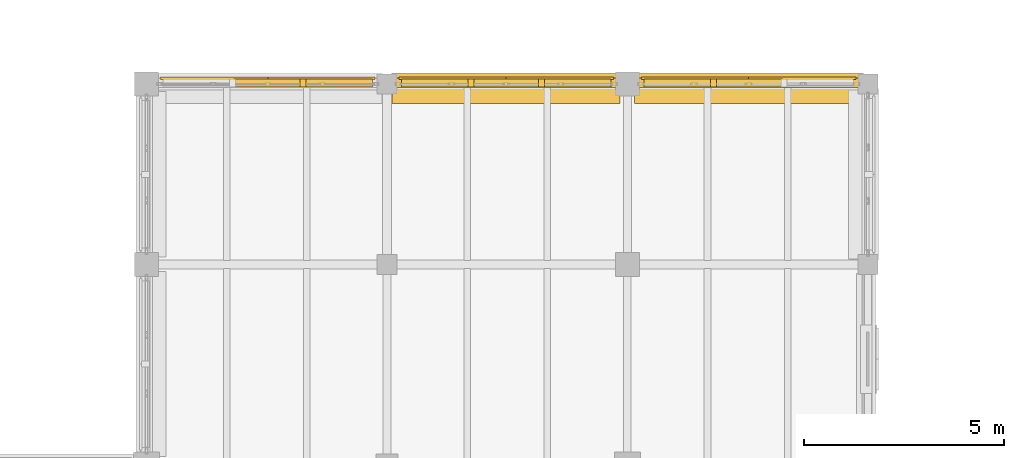
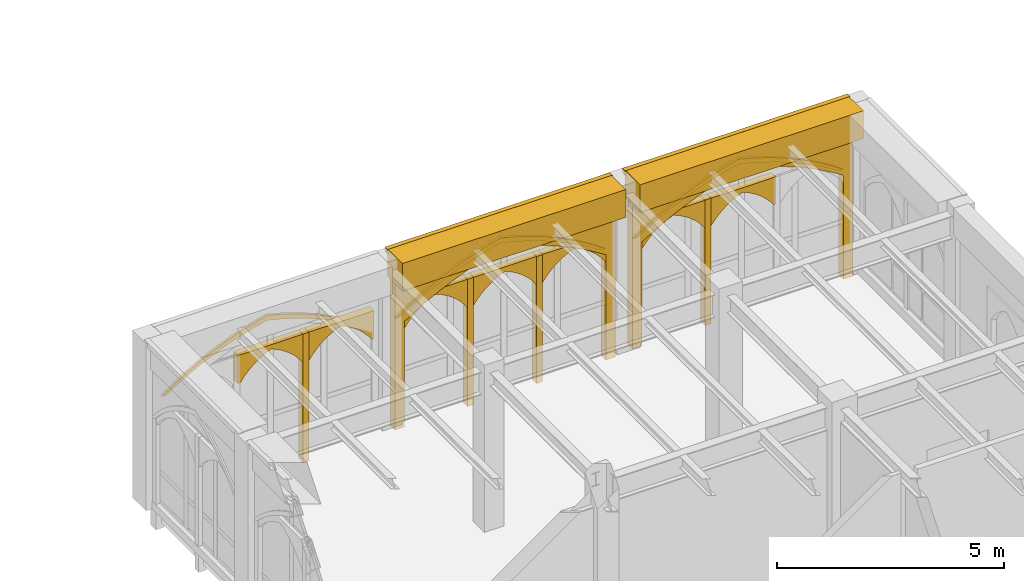
# One storey, part 124 of 143: 20 coverings.
"""IFC4 building model written with IfcOpenShell, lengths in metres."""

from ifc_helpers import new_model, si_unit, direction, frame, origin, origin_2d, place, context, subcontext, project, spatial, polyline, rectangle, outline, extrude, material, type_object, element, save


model = new_model("IFC4")

# Units and contexts
model_context = context("Model", 3, precision=1e-05, world=origin(), true_north=direction((0.0, 1.0)))
body_context = subcontext(model_context, "Body", "Model", "MODEL_VIEW")
ifc_project = project(units=[si_unit("LENGTHUNIT", "METRE"), si_unit("AREAUNIT", "SQUARE_METRE"), si_unit("VOLUMEUNIT", "CUBIC_METRE"), si_unit("PLANEANGLEUNIT", "RADIAN"), si_unit("MASSUNIT", "GRAM", prefix="KILO")], contexts=[model_context])

# Site, building, storey
site_placement = place(None, origin())
site = spatial("IfcSite", under=ifc_project, at=site_placement, CompositionType="ELEMENT")
building_placement = place(site_placement, origin())
building = spatial("IfcBuilding", under=site, at=building_placement, Name="Cumevento Cable Car Station", CompositionType="ELEMENT")
storey_placement = place(building_placement, frame((0.0, 0.0, 9.0)))
storey = spatial("IfcBuildingStorey", under=building, at=storey_placement, Name="L03", CompositionType="ELEMENT", Elevation=9.0)

# Coverings
ifc_material = material(Name="Gnaisse Facoidal Stone Ashlar 85 MPa", Category="masonry")
covering_type = type_object("IfcCoveringType", Name="Gnaisse Ashlar Cladding CV-CL01", PredefinedType="CLADDING", material=ifc_material)
covering_1_placement = place(storey_placement, frame((60.97509765625, 65.85009765625, 3.77294921875), z_axis=(0.0, 0.0, 1.0), x_axis=(1.0, 0.0, 0.0)))
element("IfcCovering", 1, at=covering_1_placement, inside=storey, type_object=covering_type, Name="Gothic Stone Spandrel Stringcourse sc:0659", PredefinedType="CLADDING", context=body_context, shape_type="SweptSolid", body=[
    extrude(rectangle(XDim=5.68994140625, YDim=0.659912109375, at=origin_2d()), origin(), (0.0, 0.0, 1.0), 0.7470703125),
])
covering_2_placement = place(storey_placement, frame((60.97509765625, 66.20751953125, 4.39013671875), z_axis=(0.0, 0.0, 1.0), x_axis=(1.0, 0.0, 0.0)))
element("IfcCovering", 2, at=covering_2_placement, inside=storey, type_object=covering_type, Name="Gothic Cornice Dripstone Lip sc:0659", PredefinedType="CLADDING", context=body_context, shape_type="SweptSolid", body=[
    extrude(rectangle(XDim=5.72998046875, YDim=0.114990234375, at=origin_2d()), origin(), (0.0, 0.0, 1.0), 0.1298828125),
])
covering_3_placement = place(storey_placement, frame((67.02490234375, 65.85009765625, 3.77294921875), z_axis=(0.0, 0.0, 1.0), x_axis=(1.0, 0.0, 0.0)))
element("IfcCovering", 3, at=covering_3_placement, inside=storey, type_object=covering_type, Name="Gothic Stone Spandrel Stringcourse sc:0660", PredefinedType="CLADDING", context=body_context, shape_type="SweptSolid", body=[
    extrude(rectangle(XDim=5.68994140625, YDim=0.659912109375, at=origin_2d()), origin(), (0.0, 0.0, 1.0), 0.7470703125),
])
covering_4_placement = place(storey_placement, frame((67.02490234375, 66.20751953125, 4.39013671875), z_axis=(0.0, 0.0, 1.0), x_axis=(1.0, 0.0, 0.0)))
element("IfcCovering", 4, at=covering_4_placement, inside=storey, type_object=covering_type, Name="Gothic Cornice Dripstone Lip sc:0660", PredefinedType="CLADDING", context=body_context, shape_type="SweptSolid", body=[
    extrude(rectangle(XDim=5.72998046875, YDim=0.114990234375, at=origin_2d()), origin(), (0.0, 0.0, 1.0), 0.1298828125),
])
covering_5_placement = place(storey_placement, frame((52.300048828125, 66.0, 2.6005859375), z_axis=(0.0, 0.0, 1.0), x_axis=(1.0, 0.0, 0.0)))
element("IfcCovering", 5, at=covering_5_placement, inside=storey, type_object=covering_type, Name="Gothic Pointed Archivolt Hood Moulding cw_ogival:0117", PredefinedType="CLADDING", context=body_context, shape_type="SweptSolid", body=[
    extrude(outline(polyline([(0.159912109375, 0.0), (0.455322265625, 0.19091796875), (0.759033203125, 0.36767578125), (1.07080078125, 0.52978515625), (1.389892578125, 0.67724609375), (1.7158203125, 0.809326171875), (2.04736328125, 0.92626953125), (2.384033203125, 1.027099609375), (2.72509765625, 1.1123046875), (3.06591796875, 1.027099609375), (3.402587890625, 0.92626953125), (3.734130859375, 0.809326171875), (4.06005859375, 0.67724609375), (4.379150390625, 0.52978515625), (4.69091796875, 0.36767578125), (4.99462890625, 0.19091796875), (5.2900390625, 0.0), (5.39990234375, 0.0), (5.095947265625, 0.2138671875), (4.78173828125, 0.411865234375), (4.4580078125, 0.59423828125), (4.12548828125, 0.759765625), (3.78515625, 0.908447265625), (3.4375, 1.0400390625), (3.083984375, 1.15380859375), (2.72509765625, 1.249755859375), (2.365966796875, 1.15380859375), (2.012451171875, 1.0400390625), (1.664794921875, 0.908447265625), (1.324462890625, 0.759765625), (0.991943359375, 0.59423828125), (0.668212890625, 0.411865234375), (0.35400390625, 0.2138671875), (0.050048828125, 0.0), (0.159912109375, 0.0)])), frame((0.0, 0.181884765625, 0.0), z_axis=(0.0, -1.0, 0.0), x_axis=(1.0, 0.0, 0.0)), (0.0, 0.0, 1.0), 0.06689453125),
])
covering_6_placement = place(storey_placement, frame((52.300048828125, 66.0, -0.27001953125), z_axis=(0.0, 0.0, 1.0), x_axis=(1.0, 0.0, 0.0)))
element("IfcCovering", 6, at=covering_6_placement, inside=storey, type_object=covering_type, Name="Gothic Bifora Stone Colonnette cw_ogival:0117 #2", PredefinedType="CLADDING", context=body_context, shape_type="SweptSolid", body=[
    extrude(outline(polyline([(3.530029296875, -0.02001953125), (3.679931640625, -0.02001953125), (3.679931640625, 3.44921875), (3.530029296875, 3.44921875), (3.530029296875, -0.02001953125)])), frame((0.0, 0.1279296875, 0.0), z_axis=(0.0, -1.0, 0.0), x_axis=(1.0, 0.0, 0.0)), (0.0, 0.0, 1.0), 0.205078125),
])
for number, where, z_axis, x_axis, name in (
    (7, (54.18994140625, 66.0, 2.420654296875), (0.0, 0.0, 1.0), (1.0, 0.0, 0.0), "Gothic Ogival Pointed-Arch Stone Spandrel cw_ogival:0117:sub:1"),
    (8, (55.949951171875, 66.0, 2.420654296875), (0.0, 0.0, 1.0), (1.0, 0.0, 0.0), "Gothic Ogival Pointed-Arch Stone Spandrel cw_ogival:0117:sub:2"),
):
    element("IfcCovering", number, at=place(storey_placement, frame(where, z_axis=z_axis, x_axis=x_axis)), inside=storey, type_object=covering_type, Name=name, PredefinedType="CLADDING", context=body_context, shape_type="SweptSolid", body=[
        extrude(outline(polyline([(-0.02001953125, 0.0), (-0.02001953125, 0.75830078125), (1.68994140625, 0.75830078125), (1.68994140625, 0.0), (1.6298828125, 0.0), (1.527587890625, 0.138916015625), (1.411376953125, 0.2666015625), (1.282470703125, 0.381591796875), (1.142578125, 0.482421875), (0.99267578125, 0.568359375), (0.8349609375, 0.638427734375), (0.67724609375, 0.568359375), (0.52734375, 0.482421875), (0.387451171875, 0.381591796875), (0.258544921875, 0.2666015625), (0.142333984375, 0.138916015625), (0.0400390625, 0.0), (-0.02001953125, 0.0)])), frame((0.0, 0.1240234375, 0.0), z_axis=(0.0, -1.0, 0.0), x_axis=(1.0, 0.0, 0.0)), (0.0, 0.0, 1.0), 0.199951171875),
    ])
placement_1 = place(storey_placement, frame((58.25, 66.0, -0.219970703125), z_axis=(0.0, 0.0, 1.0), x_axis=(1.0, 0.0, 0.0)))
element("IfcCovering", 9, at=placement_1, inside=storey, type_object=covering_type, Name="Gothic Ogival Pointed-Arch Stone Spandrel cw_ogival:0118", PredefinedType="CLADDING", context=body_context, shape_type="SweptSolid", body=[
    extrude(outline(polyline([(-0.080078125, 0.0), (-0.080078125, 4.133056640625), (5.530029296875, 4.133056640625), (5.530029296875, 0.0), (5.2900390625, 0.0), (5.2900390625, 2.838623046875), (4.993896484375, 3.0263671875), (4.689697265625, 3.200439453125), (4.37744140625, 3.360107421875), (4.058349609375, 3.505126953125), (3.73291015625, 3.635009765625), (3.401611328125, 3.75), (3.0654296875, 3.849365234375), (2.72509765625, 3.932861328125), (2.384521484375, 3.849365234375), (2.04833984375, 3.75), (1.717041015625, 3.635009765625), (1.3916015625, 3.505126953125), (1.072509765625, 3.360107421875), (0.76025390625, 3.200439453125), (0.4560546875, 3.0263671875), (0.159912109375, 2.838623046875), (0.159912109375, 0.0), (-0.080078125, 0.0)])), frame((0.0, 0.139892578125, 0.0), z_axis=(0.0, -1.0, 0.0), x_axis=(1.0, 0.0, 0.0)), (0.0, 0.0, 1.0), 0.219970703125),
])
covering_8_placement = place(storey_placement, frame((58.25, 66.0, 2.61865234375), z_axis=(0.0, 0.0, 1.0), x_axis=(1.0, 0.0, 0.0)))
element("IfcCovering", 10, at=covering_8_placement, inside=storey, type_object=covering_type, Name="Gothic Pointed Archivolt Hood Moulding cw_ogival:0118", PredefinedType="CLADDING", context=body_context, shape_type="SweptSolid", body=[
    extrude(outline(polyline([(0.159912109375, 0.0), (0.4560546875, 0.187744140625), (0.76025390625, 0.36181640625), (1.072509765625, 0.521484375), (1.3916015625, 0.66650390625), (1.717041015625, 0.79638671875), (2.04833984375, 0.911376953125), (2.384521484375, 1.0107421875), (2.72509765625, 1.09423828125), (3.0654296875, 1.0107421875), (3.401611328125, 0.911376953125), (3.73291015625, 0.79638671875), (4.058349609375, 0.66650390625), (4.37744140625, 0.521484375), (4.689697265625, 0.36181640625), (4.993896484375, 0.187744140625), (5.2900390625, 0.0), (5.39990234375, 0.0), (5.09521484375, 0.210693359375), (4.780517578125, 0.40625), (4.456298828125, 0.585693359375), (4.123779296875, 0.7490234375), (3.783447265625, 0.895751953125), (3.436279296875, 1.025146484375), (3.083251953125, 1.13720703125), (2.72509765625, 1.231689453125), (2.36669921875, 1.13720703125), (2.013671875, 1.025146484375), (1.66650390625, 0.895751953125), (1.326171875, 0.7490234375), (0.99365234375, 0.585693359375), (0.66943359375, 0.40625), (0.354736328125, 0.210693359375), (0.050048828125, 0.0), (0.159912109375, 0.0)])), frame((0.0, 0.181884765625, 0.0), z_axis=(0.0, -1.0, 0.0), x_axis=(1.0, 0.0, 0.0)), (0.0, 0.0, 1.0), 0.06689453125),
])
element("IfcCovering", 11, at=placement_1, inside=storey, type_object=covering_type, Name="Gothic Bifora Stone Colonnette cw_ogival:0118 #1", PredefinedType="CLADDING", context=body_context, shape_type="SweptSolid", body=[
    extrude(outline(polyline([(1.77001953125, -0.02001953125), (1.919921875, -0.02001953125), (1.919921875, 3.40771484375), (1.77001953125, 3.40771484375), (1.77001953125, -0.02001953125)])), frame((0.0, 0.1279296875, 0.0), z_axis=(0.0, -1.0, 0.0), x_axis=(1.0, 0.0, 0.0)), (0.0, 0.0, 1.0), 0.205078125),
])
element("IfcCovering", 12, at=placement_1, inside=storey, type_object=covering_type, Name="Gothic Bifora Stone Colonnette cw_ogival:0118 #2", PredefinedType="CLADDING", context=body_context, shape_type="SweptSolid", body=[
    extrude(outline(polyline([(3.530029296875, -0.02001953125), (3.679931640625, -0.02001953125), (3.679931640625, 3.40771484375), (3.530029296875, 3.40771484375), (3.530029296875, -0.02001953125)])), frame((0.0, 0.1279296875, 0.0), z_axis=(0.0, -1.0, 0.0), x_axis=(1.0, 0.0, 0.0)), (0.0, 0.0, 1.0), 0.205078125),
])
for number, where, z_axis, x_axis, name in (
    (13, (58.3798828125, 66.0, 2.438720703125), (0.0, 0.0, 1.0), (1.0, 0.0, 0.0), "Gothic Ogival Pointed-Arch Stone Spandrel cw_ogival:0118:sub:0"),
    (14, (60.139892578125, 66.0, 2.438720703125), (0.0, 0.0, 1.0), (1.0, 0.0, 0.0), "Gothic Ogival Pointed-Arch Stone Spandrel cw_ogival:0118:sub:1"),
    (15, (61.89990234375, 66.0, 2.438720703125), (0.0, 0.0, 1.0), (1.0, 0.0, 0.0), "Gothic Ogival Pointed-Arch Stone Spandrel cw_ogival:0118:sub:2"),
):
    element("IfcCovering", number, at=place(storey_placement, frame(where, z_axis=z_axis, x_axis=x_axis)), inside=storey, type_object=covering_type, Name=name, PredefinedType="CLADDING", context=body_context, shape_type="SweptSolid", body=[
        extrude(outline(polyline([(-0.02001953125, 0.0), (-0.02001953125, 0.7490234375), (1.68994140625, 0.7490234375), (1.68994140625, 0.0), (1.6298828125, 0.0), (1.52685546875, 0.13720703125), (1.41015625, 0.262939453125), (1.28125, 0.376220703125), (1.141357421875, 0.4755859375), (0.9921875, 0.56005859375), (0.8349609375, 0.62890625), (0.677734375, 0.56005859375), (0.528564453125, 0.4755859375), (0.388671875, 0.376220703125), (0.259765625, 0.262939453125), (0.14306640625, 0.13720703125), (0.0400390625, 0.0), (-0.02001953125, 0.0)])), frame((0.0, 0.1240234375, 0.0), z_axis=(0.0, -1.0, 0.0), x_axis=(1.0, 0.0, 0.0)), (0.0, 0.0, 1.0), 0.199951171875),
    ])
placement_2 = place(storey_placement, frame((64.300048828125, 66.0, -0.159912109375), z_axis=(0.0, 0.0, 1.0), x_axis=(1.0, 0.0, 0.0)))
element("IfcCovering", 16, at=placement_2, inside=storey, type_object=covering_type, Name="Gothic Ogival Pointed-Arch Stone Spandrel cw_ogival:0119", PredefinedType="CLADDING", context=body_context, shape_type="SweptSolid", body=[
    extrude(outline(polyline([(-0.080078125, 0.0), (-0.080078125, 4.072998046875), (5.530029296875, 4.072998046875), (5.530029296875, 0.0), (5.2900390625, 0.0), (5.2900390625, 2.80029296875), (4.9931640625, 2.984619140625), (4.68798828125, 3.1552734375), (4.375732421875, 3.311767578125), (4.056396484375, 3.453857421875), (3.731201171875, 3.581298828125), (3.400146484375, 3.69384765625), (3.064697265625, 3.791015625), (2.72509765625, 3.873046875), (2.38525390625, 3.791015625), (2.0498046875, 3.69384765625), (1.71875, 3.581298828125), (1.3935546875, 3.453857421875), (1.07421875, 3.311767578125), (0.761962890625, 3.1552734375), (0.456787109375, 2.984619140625), (0.159912109375, 2.80029296875), (0.159912109375, 0.0), (-0.080078125, 0.0)])), frame((0.0, 0.139892578125, 0.0), z_axis=(0.0, -1.0, 0.0), x_axis=(1.0, 0.0, 0.0)), (0.0, 0.0, 1.0), 0.219970703125),
])
covering_12_placement = place(storey_placement, frame((64.300048828125, 66.0, 2.640380859375), z_axis=(0.0, 0.0, 1.0), x_axis=(1.0, 0.0, 0.0)))
element("IfcCovering", 17, at=covering_12_placement, inside=storey, type_object=covering_type, Name="Gothic Pointed Archivolt Hood Moulding cw_ogival:0119", PredefinedType="CLADDING", context=body_context, shape_type="SweptSolid", body=[
    extrude(outline(polyline([(0.159912109375, 0.0), (0.456787109375, 0.184326171875), (0.761962890625, 0.35498046875), (1.07421875, 0.511474609375), (1.3935546875, 0.653564453125), (1.71875, 0.781005859375), (2.0498046875, 0.8935546875), (2.38525390625, 0.99072265625), (2.72509765625, 1.07275390625), (3.064697265625, 0.99072265625), (3.400146484375, 0.8935546875), (3.731201171875, 0.781005859375), (4.056396484375, 0.653564453125), (4.375732421875, 0.511474609375), (4.68798828125, 0.35498046875), (4.9931640625, 0.184326171875), (5.2900390625, 0.0), (5.39990234375, 0.0), (5.09423828125, 0.207275390625), (4.77880859375, 0.3994140625), (4.454345703125, 0.575927734375), (4.121826171875, 0.736328125), (3.78173828125, 0.880126953125), (3.43505859375, 1.00732421875), (3.08251953125, 1.117431640625), (2.72509765625, 1.210205078125), (2.367431640625, 1.117431640625), (2.014892578125, 1.00732421875), (1.668212890625, 0.880126953125), (1.328125, 0.736328125), (0.99560546875, 0.575927734375), (0.671142578125, 0.3994140625), (0.355712890625, 0.207275390625), (0.050048828125, 0.0), (0.159912109375, 0.0)])), frame((0.0, 0.181884765625, 0.0), z_axis=(0.0, -1.0, 0.0), x_axis=(1.0, 0.0, 0.0)), (0.0, 0.0, 1.0), 0.06689453125),
])
element("IfcCovering", 18, at=placement_2, inside=storey, type_object=covering_type, Name="Gothic Bifora Stone Colonnette cw_ogival:0119 #1", PredefinedType="CLADDING", context=body_context, shape_type="SweptSolid", body=[
    extrude(outline(polyline([(1.77001953125, -0.02001953125), (1.919921875, -0.02001953125), (1.919921875, 3.358154296875), (1.77001953125, 3.358154296875), (1.77001953125, -0.02001953125)])), frame((0.0, 0.1279296875, 0.0), z_axis=(0.0, -1.0, 0.0), x_axis=(1.0, 0.0, 0.0)), (0.0, 0.0, 1.0), 0.205078125),
])
for number, where, z_axis, x_axis, name in (
    (19, (64.429931640625, 66.0, 2.460205078125), (0.0, 0.0, 1.0), (1.0, 0.0, 0.0), "Gothic Ogival Pointed-Arch Stone Spandrel cw_ogival:0119:sub:0"),
    (20, (66.18994140625, 66.0, 2.460205078125), (0.0, 0.0, 1.0), (1.0, 0.0, 0.0), "Gothic Ogival Pointed-Arch Stone Spandrel cw_ogival:0119:sub:1"),
):
    element("IfcCovering", number, at=place(storey_placement, frame(where, z_axis=z_axis, x_axis=x_axis)), inside=storey, type_object=covering_type, Name=name, PredefinedType="CLADDING", context=body_context, shape_type="SweptSolid", body=[
        extrude(outline(polyline([(-0.02001953125, 0.0), (-0.02001953125, 0.73779296875), (1.68994140625, 0.73779296875), (1.68994140625, 0.0), (1.6298828125, 0.0), (1.52587890625, 0.135009765625), (1.40869140625, 0.258544921875), (1.27978515625, 0.369873046875), (1.14013671875, 0.46728515625), (0.9912109375, 0.55029296875), (0.8349609375, 0.617919921875), (0.6787109375, 0.55029296875), (0.52978515625, 0.46728515625), (0.39013671875, 0.369873046875), (0.26123046875, 0.258544921875), (0.14404296875, 0.135009765625), (0.0400390625, 0.0), (-0.02001953125, 0.0)])), frame((0.0, 0.1240234375, 0.0), z_axis=(0.0, -1.0, 0.0), x_axis=(1.0, 0.0, 0.0)), (0.0, 0.0, 1.0), 0.199951171875),
    ])

save(model, "model.ifc")
